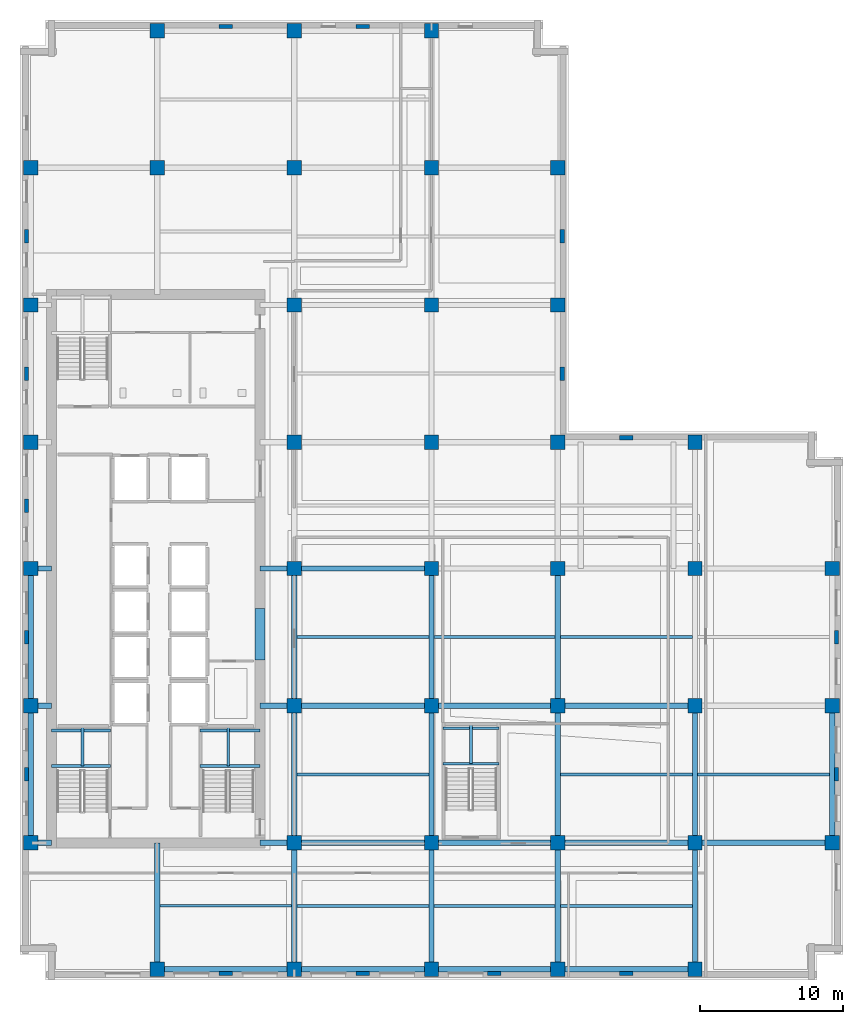
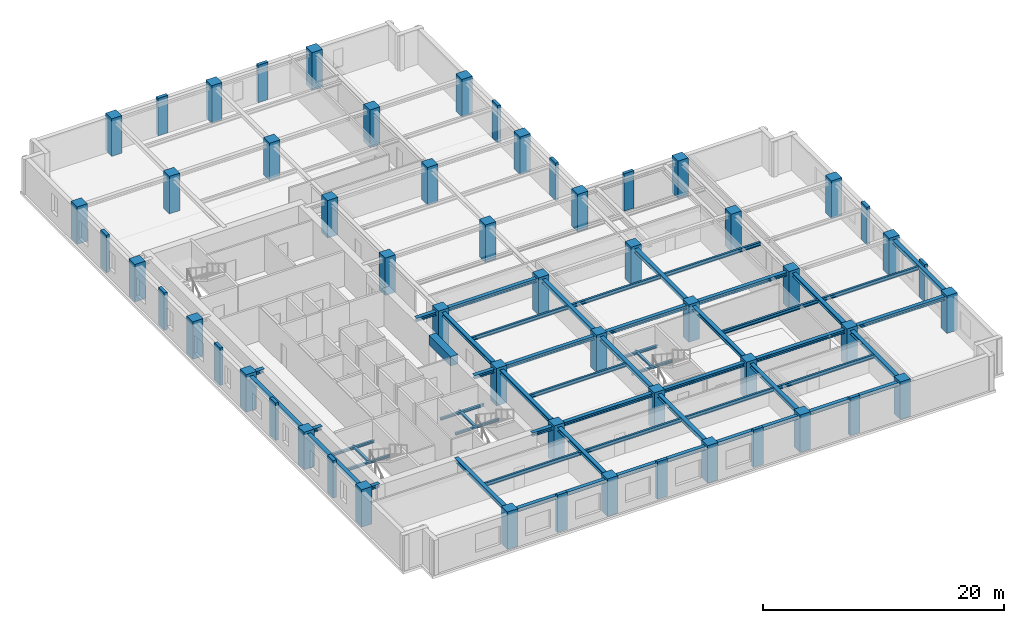
# One storey, part 1 of 12: 56 columns, 53 beams.
"""IFC4 building model written with IfcOpenShell, lengths in metres."""

import ifcopenshell
import ifcopenshell.guid

model = None  # the IFC model being written
_history = None  # IfcOwnerHistory: only IFC2X3 demands one
_inside = {}  # id of a spatial element -> (the spatial element, [elements in it])
_under = {}  # id of a project, library or spatial element -> (it, [spatial elements below it])
_declared = {}  # id of a project -> (the project, [libraries it declares])
_typed = {}  # id of a type object -> (the type object, [elements of that type])
_made_of = {}  # id of a material, layer set ... -> (it, [elements and type objects made of it])


def new_model(schema):
    """Start an empty IFC model of exactly this schema.

    Asked for "IFC4X3", IfcOpenShell would pick the latest addendum, in which some entities
    have other attributes; the version numbers below select the first issue.
    IFC2X3 requires an IfcOwnerHistory on every rooted entity: one is made here for all.
    """
    global model, _history
    if schema == "IFC4X3":
        model = ifcopenshell.file(schema_version=(4, 3, 0, 0))
    else:
        model = ifcopenshell.file(schema=schema)
    _inside.clear()
    _under.clear()
    _declared.clear()
    _typed.clear()
    _made_of.clear()
    _history = None
    if model.schema == "IFC2X3":
        org = make("IfcOrganization", Name="unknown")
        user = make(
            "IfcPersonAndOrganization",
            ThePerson=make("IfcPerson", FamilyName="unknown"),
            TheOrganization=org,
        )
        app = make(
            "IfcApplication",
            ApplicationDeveloper=org,
            Version="unknown",
            ApplicationFullName="unknown",
            ApplicationIdentifier="unknown",
        )
        _history = make(
            "IfcOwnerHistory",
            OwningUser=user,
            OwningApplication=app,
            ChangeAction="ADDED",
            CreationDate=0,
        )
    return model


def make(cls, **values):
    """One entity of the class cls with the attributes given. An attribute that is None is left unset."""
    return model.create_entity(
        cls, **{name: value for name, value in values.items() if value is not None}
    )


def rooted(cls, **values):
    """An entity with a GlobalId (a new one), such as an element, a storey or a relation."""
    return make(cls, GlobalId=ifcopenshell.guid.new(), OwnerHistory=_history, **values)


def si_unit(unit_type, name, prefix=None):
    """IfcSIUnit, for example si_unit("LENGTHUNIT", "METRE", prefix="MILLI")."""
    return make("IfcSIUnit", UnitType=unit_type, Prefix=prefix, Name=name)


def assignment(units):
    """IfcUnitAssignment: the units of a project."""
    return None if units is None else make("IfcUnitAssignment", Units=units)


def point(xyz):
    """IfcCartesianPoint."""
    return None if xyz is None else make("IfcCartesianPoint", Coordinates=xyz)


def direction(xyz):
    """IfcDirection."""
    return None if xyz is None else make("IfcDirection", DirectionRatios=xyz)


def frame(location, z_axis=None, x_axis=None):
    """IfcAxis2Placement3D, a coordinate frame: its origin and axes. An axis left out is left unset."""
    return make(
        "IfcAxis2Placement3D",
        Location=point(location),
        Axis=direction(z_axis),
        RefDirection=direction(x_axis),
    )


def frame_2d(location, x_axis=None):
    """IfcAxis2Placement2D, a coordinate frame in the plane: its origin and x axis."""
    return make(
        "IfcAxis2Placement2D", Location=point(location), RefDirection=direction(x_axis)
    )


def origin():
    """The frame at (0, 0, 0) with its axes left unset."""
    return frame((0.0, 0.0, 0.0))


def origin_2d():
    """The frame at (0, 0) in the plane with its x axis left unset."""
    return frame_2d((0.0, 0.0))


def place(relative_to, where):
    """IfcLocalPlacement: puts the frame where relative to a parent placement (None: the world)."""
    return make(
        "IfcLocalPlacement", PlacementRelTo=relative_to, RelativePlacement=where
    )


def context(
    kind, dimensions, precision=None, world=None, true_north=None, identifier=None
):
    """IfcGeometricRepresentationContext, for example the 3D "Model" context."""
    return make(
        "IfcGeometricRepresentationContext",
        ContextIdentifier=identifier,
        ContextType=kind,
        CoordinateSpaceDimension=dimensions,
        Precision=precision,
        WorldCoordinateSystem=world,
        TrueNorth=true_north,
    )


def subcontext(parent, identifier, kind, view, scale=None):
    """IfcGeometricRepresentationSubContext, for example "Body" below "Model"."""
    return make(
        "IfcGeometricRepresentationSubContext",
        ContextIdentifier=identifier,
        ContextType=kind,
        ParentContext=parent,
        TargetScale=scale,
        TargetView=view,
    )


def project(units=None, contexts=None):
    """IfcProject with its units and contexts."""
    return rooted(
        "IfcProject",
        Name="project",
        RepresentationContexts=contexts,
        UnitsInContext=assignment(units),
    )


def spatial(cls, under=None, at=None, **own):
    """A site, building, storey or space (cls), placed at a placement, below another one or the project."""
    s = rooted(cls, ObjectPlacement=at, **own)
    if under is not None:
        _under.setdefault(under.id(), (under, []))[1].append(s)
    return s


def profile(cls, at=None, kind="AREA", **sizes):
    """A parametric profile (cls). Its sizes go by their IFC names, for example OverallWidth=200.0."""
    return make(cls, ProfileType=kind, Position=at, **sizes)


def rectangle(**sizes):
    """IfcRectangleProfileDef."""
    return profile("IfcRectangleProfileDef", **sizes)


def i_section(**sizes):
    """IfcIShapeProfileDef."""
    return profile("IfcIShapeProfileDef", **sizes)


def extrude(swept, where, along, depth):
    """IfcExtrudedAreaSolid: the profile swept, set in the frame where, extruded along a direction by depth."""
    return make(
        "IfcExtrudedAreaSolid",
        SweptArea=swept,
        Position=where,
        ExtrudedDirection=direction(along),
        Depth=depth,
    )


def shape(context_of_items, identifier, shape_type, items):
    """IfcShapeRepresentation: the items that make up one representation, for example the "Body"."""
    return make(
        "IfcShapeRepresentation",
        ContextOfItems=context_of_items,
        RepresentationIdentifier=identifier,
        RepresentationType=shape_type,
        Items=items,
    )


def material(Name=None, Category=None):
    """IfcMaterial."""
    return make("IfcMaterial", Name=Name, Category=Category)


def material_profile(
    of_material, cross_section, Name=None, Category=None, Priority=None
):
    """IfcMaterialProfile: a cross section and its material."""
    return make(
        "IfcMaterialProfile",
        Name=Name,
        Material=of_material,
        Profile=cross_section,
        Priority=Priority,
        Category=Category,
    )


def profile_set(profiles, Name=None, composite=None):
    """IfcMaterialProfileSet."""
    return make(
        "IfcMaterialProfileSet",
        Name=Name,
        MaterialProfiles=profiles,
        CompositeProfile=composite,
    )


def made_of(thing, what):
    """Note that an element or type object is made of a material, layer set ...; save() writes the relation."""
    if what is not None:
        _made_of.setdefault(what.id(), (what, []))[1].append(thing)
    return thing


def type_object(cls, material=None, **own):
    """A type object (cls), such as IfcWallType, which elements share."""
    return made_of(rooted(cls, **own), material)


def element(
    cls,
    number,
    at=None,
    inside=None,
    cuts=None,
    type_object=None,
    material=None,
    context=None,
    identifier="Body",
    shape_type=None,
    held_by="IfcProductDefinitionShape",
    body=None,
    shapes=None,
    **own,
):
    """One element of the class cls, such as IfcWall. Its Tag is "e" and its number.

    at: its placement. inside: the storey or other place that contains it. cuts: it is an
    opening in that element (IfcRelVoidsElement). A single representation is given by context,
    identifier, shape_type and body (its items); several are given by shapes. held_by: the class
    of the entity that holds the representations. save() writes the other relations.
    """
    e = rooted(cls, Tag="e%d" % number, ObjectPlacement=at, **own)
    if body is not None:
        shapes = [shape(context, identifier, shape_type, body)]
    if shapes is not None:
        e.Representation = make(held_by, Representations=shapes)
    if inside is not None:
        _inside.setdefault(inside.id(), (inside, []))[1].append(e)
    if cuts is not None:
        rooted(
            "IfcRelVoidsElement", RelatingBuildingElement=cuts, RelatedOpeningElement=e
        )
    if type_object is not None:
        _typed.setdefault(type_object.id(), (type_object, []))[1].append(e)
    return made_of(e, material)


def aggregate(whole, parts):
    """IfcRelAggregates: a whole, such as a stair, and the parts it consists of."""
    return rooted("IfcRelAggregates", RelatingObject=whole, RelatedObjects=parts)


def save(model, path):
    """Write the relations noted so far, then the file.

    IfcRelAggregates (storeys below a building ...), IfcRelContainedInSpatialStructure (elements
    in a storey), IfcRelDefinesByType, IfcRelAssociatesMaterial and IfcRelDeclares: one each for
    every whole, place, type object, material and project.
    """
    for whole, parts in _under.values():
        aggregate(whole, parts)
    for where, things in _inside.values():
        rooted(
            "IfcRelContainedInSpatialStructure",
            RelatedElements=things,
            RelatingStructure=where,
        )
    for kind, things in _typed.values():
        rooted("IfcRelDefinesByType", RelatedObjects=things, RelatingType=kind)
    for what, things in _made_of.values():
        rooted("IfcRelAssociatesMaterial", RelatedObjects=things, RelatingMaterial=what)
    for by, libraries in _declared.values():
        rooted("IfcRelDeclares", RelatingContext=by, RelatedDefinitions=libraries)
    model.write(path)


model = new_model("IFC4")

# Units and contexts
model_context = context("Model", 3, precision=1e-05, world=origin(), true_north=direction((0.0, 1.0)))
body_context = subcontext(model_context, "Body", "Model", "MODEL_VIEW")
ifc_project = project(units=[si_unit("LENGTHUNIT", "METRE"), si_unit("AREAUNIT", "SQUARE_METRE"), si_unit("VOLUMEUNIT", "CUBIC_METRE"), si_unit("PLANEANGLEUNIT", "RADIAN"), si_unit("MASSUNIT", "GRAM", prefix="KILO")], contexts=[model_context])

# Site, building, storey
site_placement = place(None, origin())
site = spatial("IfcSite", under=ifc_project, at=site_placement, CompositionType="ELEMENT")
building_placement = place(site_placement, origin())
building = spatial("IfcBuilding", under=site, at=building_placement, Name="Norrvale University Quadrangle", CompositionType="ELEMENT")
storey_placement = place(building_placement, frame((0.0, 0.0, 109.0)))
storey = spatial("IfcBuildingStorey", under=building, at=storey_placement, Name="L27", CompositionType="ELEMENT", Elevation=109.0)

# Columns
ifc_material_1 = material(Name="Red Manganese Brick Concrete C60/75", Category="concrete")
ifc_material_profile_1 = material_profile(ifc_material_1, rectangle(XDim=0.949951171875, YDim=0.300048828125, at=origin_2d()), Name="Red Manganese Brick Concrete C60/75")
ifc_profile_set_1 = profile_set([ifc_material_profile_1], Name="Red Manganese Brick Concrete C60/75")
column_type_1 = type_object("IfcColumnType", Name="Column Brick Pier 950x300", PredefinedType="PILASTER", material=ifc_profile_set_1)
for number, where, z_axis, x_axis, name in (
    (1, (0.449951171875, 14.39990234375, 0.0), (0.0, 0.0, 1.0), (0.0, 1.0, 0.0), "Exterior Brick Facade Pilaster L27-01"),
    (2, (0.449951171875, 24.0, 0.0), (0.0, 0.0, 1.0), (0.0, 1.0, 0.0), "Exterior Brick Facade Pilaster L27-02"),
    (3, (0.449951171875, 33.199951171875, 0.0), (0.0, 0.0, 1.0), (0.0, 1.0, 0.0), "Exterior Brick Facade Pilaster L27-03"),
    (4, (0.449951171875, 42.449951171875, 0.0), (0.0, 0.0, 1.0), (0.0, 1.0, 0.0), "Exterior Brick Facade Pilaster L27-04"),
    (5, (0.449951171875, 52.050048828125, 0.0), (0.0, 0.0, 1.0), (0.0, 1.0, 0.0), "Exterior Brick Facade Pilaster L27-05"),
    (6, (14.39990234375, 0.449951171875, 0.0), (0.0, 0.0, 1.0), (1.0, 0.0, 0.0), "Exterior Brick Facade Pilaster L27-06"),
    (7, (24.0, 0.449951171875, 0.0), (0.0, 0.0, 1.0), (1.0, 0.0, 0.0), "Exterior Brick Facade Pilaster L27-07"),
    (8, (33.199951171875, 0.449951171875, 0.0), (0.0, 0.0, 1.0), (1.0, 0.0, 0.0), "Exterior Brick Facade Pilaster L27-08"),
    (9, (42.449951171875, 0.449951171875, 0.0), (0.0, 0.0, 1.0), (1.0, 0.0, 0.0), "Exterior Brick Facade Pilaster L27-09"),
    (10, (57.14990234375, 14.39990234375, 0.0), (0.0, 0.0, 1.0), (0.0, 1.0, 0.0), "Exterior Brick Facade Pilaster L27-10"),
    (11, (57.14990234375, 24.0, 0.0), (0.0, 0.0, 1.0), (0.0, 1.0, 0.0), "Exterior Brick Facade Pilaster L27-11"),
    (12, (14.39990234375, 66.75, 0.0), (0.0, 0.0, 1.0), (1.0, 0.0, 0.0), "Exterior Brick Facade Pilaster L27-12"),
    (13, (24.0, 66.75, 0.0), (0.0, 0.0, 1.0), (1.0, 0.0, 0.0), "Exterior Brick Facade Pilaster L27-13"),
    (14, (37.949951171875, 42.449951171875, 0.0), (0.0, 0.0, 1.0), (0.0, 1.0, 0.0), "Exterior Brick Facade Pilaster L27-14"),
    (15, (37.949951171875, 52.050048828125, 0.0), (0.0, 0.0, 1.0), (0.0, 1.0, 0.0), "Exterior Brick Facade Pilaster L27-15"),
    (16, (42.449951171875, 37.949951171875, 0.0), (0.0, 0.0, 1.0), (1.0, 0.0, 0.0), "Exterior Brick Facade Pilaster L27-16"),
):
    element("IfcColumn", number, at=place(storey_placement, frame(where, z_axis=z_axis, x_axis=x_axis)), inside=storey, type_object=column_type_1, Name=name, PredefinedType="PILASTER", context=body_context, shape_type="SweptSolid", body=[
        extrude(rectangle(XDim=0.949951171875, YDim=0.300048828125, at=origin_2d()), origin(), (0.0, 0.0, 1.0), 3.800048828125),
    ])
ifc_material_2 = material(Name="Concrete C60/75", Category="concrete")
ifc_material_profile_2 = material_profile(ifc_material_2, rectangle(XDim=1.0, YDim=1.0, at=origin_2d()), Name="Concrete C60/75")
ifc_profile_set_2 = profile_set([ifc_material_profile_2], Name="Concrete C60/75")
column_type_2 = type_object("IfcColumnType", Name="Column Tower Z2 1000x1000", PredefinedType="COLUMN", material=ifc_profile_set_2)
for number, where, z_axis, x_axis, name in (
    (17, (0.75, 9.60009765625, 0.0), (0.0, 0.0, 1.0), (1.0, 0.0, 0.0), "Tower Column L27-T01"),
    (18, (0.75, 19.199951171875, 0.0), (0.0, 0.0, 1.0), (1.0, 0.0, 0.0), "Tower Column L27-T02"),
    (19, (0.75, 28.800048828125, 0.0), (0.0, 0.0, 1.0), (1.0, 0.0, 0.0), "Tower Column L27-T03"),
    (20, (0.75, 37.64990234375, 0.0), (0.0, 0.0, 1.0), (1.0, 0.0, 0.0), "Tower Column L27-T04"),
    (21, (0.75, 47.25, 0.0), (0.0, 0.0, 1.0), (1.0, 0.0, 0.0), "Tower Column L27-T05"),
    (22, (0.75, 56.85009765625, 0.0), (0.0, 0.0, 1.0), (1.0, 0.0, 0.0), "Tower Column L27-T06"),
    (23, (9.60009765625, 0.75, 0.0), (0.0, 0.0, 1.0), (1.0, 0.0, 0.0), "Tower Column L27-T07"),
    (24, (9.60009765625, 56.85009765625, 0.0), (0.0, 0.0, 1.0), (1.0, 0.0, 0.0), "Tower Column L27-T08"),
    (25, (9.60009765625, 66.449951171875, 0.0), (0.0, 0.0, 1.0), (1.0, 0.0, 0.0), "Tower Column L27-T09"),
    (26, (19.199951171875, 0.75, 0.0), (0.0, 0.0, 1.0), (1.0, 0.0, 0.0), "Tower Column L27-T10"),
    (27, (19.199951171875, 9.60009765625, 0.0), (0.0, 0.0, 1.0), (1.0, 0.0, 0.0), "Tower Column L27-T11"),
    (28, (19.199951171875, 19.199951171875, 0.0), (0.0, 0.0, 1.0), (1.0, 0.0, 0.0), "Tower Column L27-T12"),
    (29, (19.199951171875, 28.800048828125, 0.0), (0.0, 0.0, 1.0), (1.0, 0.0, 0.0), "Tower Column L27-T13"),
    (30, (19.199951171875, 37.64990234375, 0.0), (0.0, 0.0, 1.0), (1.0, 0.0, 0.0), "Tower Column L27-T14"),
    (31, (19.199951171875, 47.25, 0.0), (0.0, 0.0, 1.0), (1.0, 0.0, 0.0), "Tower Column L27-T15"),
    (32, (19.199951171875, 56.85009765625, 0.0), (0.0, 0.0, 1.0), (1.0, 0.0, 0.0), "Tower Column L27-T16"),
    (33, (19.199951171875, 66.449951171875, 0.0), (0.0, 0.0, 1.0), (1.0, 0.0, 0.0), "Tower Column L27-T17"),
    (34, (28.800048828125, 0.75, 0.0), (0.0, 0.0, 1.0), (1.0, 0.0, 0.0), "Tower Column L27-T18"),
    (35, (28.800048828125, 9.60009765625, 0.0), (0.0, 0.0, 1.0), (1.0, 0.0, 0.0), "Tower Column L27-T19"),
    (36, (28.800048828125, 19.199951171875, 0.0), (0.0, 0.0, 1.0), (1.0, 0.0, 0.0), "Tower Column L27-T20"),
    (37, (28.800048828125, 28.800048828125, 0.0), (0.0, 0.0, 1.0), (1.0, 0.0, 0.0), "Tower Column L27-T21"),
    (38, (28.800048828125, 37.64990234375, 0.0), (0.0, 0.0, 1.0), (1.0, 0.0, 0.0), "Tower Column L27-T22"),
    (39, (28.800048828125, 47.25, 0.0), (0.0, 0.0, 1.0), (1.0, 0.0, 0.0), "Tower Column L27-T23"),
    (40, (28.800048828125, 56.85009765625, 0.0), (0.0, 0.0, 1.0), (1.0, 0.0, 0.0), "Tower Column L27-T24"),
    (41, (28.800048828125, 66.449951171875, 0.0), (0.0, 0.0, 1.0), (1.0, 0.0, 0.0), "Tower Column L27-T25"),
    (42, (37.64990234375, 0.75, 0.0), (0.0, 0.0, 1.0), (1.0, 0.0, 0.0), "Tower Column L27-T26"),
    (43, (37.64990234375, 9.60009765625, 0.0), (0.0, 0.0, 1.0), (1.0, 0.0, 0.0), "Tower Column L27-T27"),
    (44, (37.64990234375, 19.199951171875, 0.0), (0.0, 0.0, 1.0), (1.0, 0.0, 0.0), "Tower Column L27-T28"),
    (45, (37.64990234375, 28.800048828125, 0.0), (0.0, 0.0, 1.0), (1.0, 0.0, 0.0), "Tower Column L27-T29"),
    (46, (37.64990234375, 37.64990234375, 0.0), (0.0, 0.0, 1.0), (1.0, 0.0, 0.0), "Tower Column L27-T30"),
    (47, (37.64990234375, 47.25, 0.0), (0.0, 0.0, 1.0), (1.0, 0.0, 0.0), "Tower Column L27-T31"),
    (48, (37.64990234375, 56.85009765625, 0.0), (0.0, 0.0, 1.0), (1.0, 0.0, 0.0), "Tower Column L27-T32"),
    (49, (47.25, 0.75, 0.0), (0.0, 0.0, 1.0), (1.0, 0.0, 0.0), "Tower Column L27-T33"),
    (50, (47.25, 9.60009765625, 0.0), (0.0, 0.0, 1.0), (1.0, 0.0, 0.0), "Tower Column L27-T34"),
    (51, (47.25, 19.199951171875, 0.0), (0.0, 0.0, 1.0), (1.0, 0.0, 0.0), "Tower Column L27-T35"),
    (52, (47.25, 28.800048828125, 0.0), (0.0, 0.0, 1.0), (1.0, 0.0, 0.0), "Tower Column L27-T36"),
    (53, (47.25, 37.64990234375, 0.0), (0.0, 0.0, 1.0), (1.0, 0.0, 0.0), "Tower Column L27-T37"),
    (54, (56.85009765625, 9.60009765625, 0.0), (0.0, 0.0, 1.0), (1.0, 0.0, 0.0), "Tower Column L27-T38"),
    (55, (56.85009765625, 19.199951171875, 0.0), (0.0, 0.0, 1.0), (1.0, 0.0, 0.0), "Tower Column L27-T39"),
    (56, (56.85009765625, 28.800048828125, 0.0), (0.0, 0.0, 1.0), (1.0, 0.0, 0.0), "Tower Column L27-T40"),
):
    element("IfcColumn", number, at=place(storey_placement, frame(where, z_axis=z_axis, x_axis=x_axis)), inside=storey, type_object=column_type_2, Name=name, PredefinedType="COLUMN", context=body_context, shape_type="SweptSolid", body=[
        extrude(rectangle(XDim=1.0, YDim=1.0, at=origin_2d()), origin(), (0.0, 0.0, 1.0), 3.800048828125),
    ])

# Beams
ifc_material_3 = material(Name="Concrete C80/95", Category="concrete")
ifc_material_profile_3 = material_profile(ifc_material_3, rectangle(XDim=0.699951171875, YDim=0.949951171875, at=origin_2d()), Name="Concrete C80/95")
ifc_profile_set_3 = profile_set([ifc_material_profile_3], Name="Concrete C80/95")
beam_type_1 = type_object("IfcBeamType", Name="Beam Core Link 700x950", PredefinedType="LINTEL", material=ifc_profile_set_3)
beam_1_placement = place(storey_placement, frame((16.800048828125, 22.39990234375, 3.06494140625), z_axis=(0.0, 1.0, 0.0), x_axis=(-1.0, 0.0, 0.0)))
element("IfcBeam", 57, at=beam_1_placement, inside=storey, type_object=beam_type_1, Name="Core Coupling Lintel Beam L27-1", PredefinedType="LINTEL", context=body_context, shape_type="SweptSolid", body=[
    extrude(rectangle(XDim=0.699951171875, YDim=0.949951171875, at=origin_2d()), origin(), (0.0, 0.0, 1.0), 3.60009765625),
])
ifc_material_4 = material(Name="Steel 350W", Category="steel")
ifc_material_profile_4 = material_profile(ifc_material_4, i_section(OverallWidth=0.368896484375, OverallDepth=0.35595703125, WebThickness=0.01123046875, FlangeThickness=0.01806640625, FilletRadius=0.014892578125, at=origin_2d()), Name="Steel 350W")
ifc_profile_set_4 = profile_set([ifc_material_profile_4], Name="Steel 350W")
beam_type_2 = type_object("IfcBeamType", Name="Beam Crown W360x134", PredefinedType="BEAM", material=ifc_profile_set_4)
beam_2_placement = place(storey_placement, frame((9.60009765625, 0.75, 3.362060546875), z_axis=(1.0, 0.0, 0.0), x_axis=(0.0, 1.0, 0.0)))
element("IfcBeam", 58, at=beam_2_placement, inside=storey, type_object=beam_type_2, Name="Beam Crown W360x134 BM-L27-GX001", PredefinedType="BEAM", context=body_context, shape_type="SweptSolid", body=[
    extrude(i_section(OverallWidth=0.368896484375, OverallDepth=0.35595703125, WebThickness=0.01123046875, FlangeThickness=0.01806640625, FilletRadius=0.014892578125, at=origin_2d()), origin(), (0.0, 0.0, 1.0), 9.599853515625),
])
beam_3_placement = place(storey_placement, frame((19.199951171875, 0.75, 3.362060546875), z_axis=(1.0, 0.0, 0.0), x_axis=(0.0, 1.0, 0.0)))
element("IfcBeam", 59, at=beam_3_placement, inside=storey, type_object=beam_type_2, Name="Beam Crown W360x134 BM-L27-GX002", PredefinedType="BEAM", context=body_context, shape_type="SweptSolid", body=[
    extrude(i_section(OverallWidth=0.368896484375, OverallDepth=0.35595703125, WebThickness=0.01123046875, FlangeThickness=0.01806640625, FilletRadius=0.014892578125, at=origin_2d()), origin(), (0.0, 0.0, 1.0), 9.60009765625),
])
beam_4_placement = place(storey_placement, frame((28.800048828125, 0.75, 3.362060546875), z_axis=(1.0, 0.0, 0.0), x_axis=(0.0, 1.0, 0.0)))
element("IfcBeam", 60, at=beam_4_placement, inside=storey, type_object=beam_type_2, Name="Beam Crown W360x134 BM-L27-GX003", PredefinedType="BEAM", context=body_context, shape_type="SweptSolid", body=[
    extrude(i_section(OverallWidth=0.368896484375, OverallDepth=0.35595703125, WebThickness=0.01123046875, FlangeThickness=0.01806640625, FilletRadius=0.014892578125, at=origin_2d()), origin(), (0.0, 0.0, 1.0), 8.849853515625),
])
for number, where, z_axis, x_axis, name in (
    (61, (37.64990234375, 0.75, 3.362060546875), (1.0, 0.0, 0.0), (0.0, 1.0, 0.0), "Beam Crown W360x134 BM-L27-GX004"),
    (62, (19.199951171875, 9.60009765625, 3.362060546875), (1.0, 0.0, 0.0), (0.0, 1.0, 0.0), "Beam Crown W360x134 BM-L27-GX005"),
):
    element("IfcBeam", number, at=place(storey_placement, frame(where, z_axis=z_axis, x_axis=x_axis)), inside=storey, type_object=beam_type_2, Name=name, PredefinedType="BEAM", context=body_context, shape_type="SweptSolid", body=[
        extrude(i_section(OverallWidth=0.368896484375, OverallDepth=0.35595703125, WebThickness=0.01123046875, FlangeThickness=0.01806640625, FilletRadius=0.014892578125, at=origin_2d()), origin(), (0.0, 0.0, 1.0), 9.60009765625),
    ])
beam_5_placement = place(storey_placement, frame((28.800048828125, 9.60009765625, 3.362060546875), z_axis=(1.0, 0.0, 0.0), x_axis=(0.0, 1.0, 0.0)))
element("IfcBeam", 63, at=beam_5_placement, inside=storey, type_object=beam_type_2, Name="Beam Crown W360x134 BM-L27-GX006", PredefinedType="BEAM", context=body_context, shape_type="SweptSolid", body=[
    extrude(i_section(OverallWidth=0.368896484375, OverallDepth=0.35595703125, WebThickness=0.01123046875, FlangeThickness=0.01806640625, FilletRadius=0.014892578125, at=origin_2d()), origin(), (0.0, 0.0, 1.0), 8.849853515625),
])
for number, where, z_axis, x_axis, name in (
    (64, (37.64990234375, 9.60009765625, 3.362060546875), (1.0, 0.0, 0.0), (0.0, 1.0, 0.0), "Beam Crown W360x134 BM-L27-GX007"),
    (65, (47.25, 9.60009765625, 3.362060546875), (1.0, 0.0, 0.0), (0.0, 1.0, 0.0), "Beam Crown W360x134 BM-L27-GX008"),
    (66, (19.199951171875, 19.199951171875, 3.362060546875), (1.0, 0.0, 0.0), (0.0, 1.0, 0.0), "Beam Crown W360x134 BM-L27-GX009"),
):
    element("IfcBeam", number, at=place(storey_placement, frame(where, z_axis=z_axis, x_axis=x_axis)), inside=storey, type_object=beam_type_2, Name=name, PredefinedType="BEAM", context=body_context, shape_type="SweptSolid", body=[
        extrude(i_section(OverallWidth=0.368896484375, OverallDepth=0.35595703125, WebThickness=0.01123046875, FlangeThickness=0.01806640625, FilletRadius=0.014892578125, at=origin_2d()), origin(), (0.0, 0.0, 1.0), 9.60009765625),
    ])
beam_6_placement = place(storey_placement, frame((28.800048828125, 19.199951171875, 3.362060546875), z_axis=(1.0, 0.0, 0.0), x_axis=(0.0, 1.0, 0.0)))
element("IfcBeam", 67, at=beam_6_placement, inside=storey, type_object=beam_type_2, Name="Beam Crown W360x134 BM-L27-GX010", PredefinedType="BEAM", context=body_context, shape_type="SweptSolid", body=[
    extrude(i_section(OverallWidth=0.368896484375, OverallDepth=0.35595703125, WebThickness=0.01123046875, FlangeThickness=0.01806640625, FilletRadius=0.014892578125, at=origin_2d()), origin(), (0.0, 0.0, 1.0), 8.849853515625),
])
for number, where, z_axis, x_axis, name in (
    (68, (37.64990234375, 19.199951171875, 3.362060546875), (1.0, 0.0, 0.0), (0.0, 1.0, 0.0), "Beam Crown W360x134 BM-L27-GX011"),
    (69, (19.199951171875, 28.800048828125, 3.362060546875), (1.0, 0.0, 0.0), (0.0, 1.0, 0.0), "Beam Crown W360x134 BM-L27-GX013"),
):
    element("IfcBeam", number, at=place(storey_placement, frame(where, z_axis=z_axis, x_axis=x_axis)), inside=storey, type_object=beam_type_2, Name=name, PredefinedType="BEAM", context=body_context, shape_type="SweptSolid", body=[
        extrude(i_section(OverallWidth=0.368896484375, OverallDepth=0.35595703125, WebThickness=0.01123046875, FlangeThickness=0.01806640625, FilletRadius=0.014892578125, at=origin_2d()), origin(), (0.0, 0.0, 1.0), 9.60009765625),
    ])
beam_7_placement = place(storey_placement, frame((0.75, 9.60009765625, 3.362060546875), z_axis=(0.0, 1.0, 0.0), x_axis=(-1.0, 0.0, 0.0)))
element("IfcBeam", 70, at=beam_7_placement, inside=storey, type_object=beam_type_2, Name="Beam Crown W360x134 BM-L27-GY028", PredefinedType="BEAM", context=body_context, shape_type="SweptSolid", body=[
    extrude(i_section(OverallWidth=0.368896484375, OverallDepth=0.35595703125, WebThickness=0.01123046875, FlangeThickness=0.01806640625, FilletRadius=0.014892578125, at=origin_2d()), origin(), (0.0, 0.0, 1.0), 9.599853515625),
])
beam_8_placement = place(storey_placement, frame((0.75, 19.199951171875, 3.362060546875), z_axis=(0.0, 1.0, 0.0), x_axis=(-1.0, 0.0, 0.0)))
element("IfcBeam", 71, at=beam_8_placement, inside=storey, type_object=beam_type_2, Name="Beam Crown W360x134 BM-L27-GY029", PredefinedType="BEAM", context=body_context, shape_type="SweptSolid", body=[
    extrude(i_section(OverallWidth=0.368896484375, OverallDepth=0.35595703125, WebThickness=0.01123046875, FlangeThickness=0.01806640625, FilletRadius=0.014892578125, at=origin_2d()), origin(), (0.0, 0.0, 1.0), 9.60009765625),
])
beam_9_placement = place(storey_placement, frame((19.199951171875, 0.75, 3.362060546875), z_axis=(0.0, 1.0, 0.0), x_axis=(-1.0, 0.0, 0.0)))
element("IfcBeam", 72, at=beam_9_placement, inside=storey, type_object=beam_type_2, Name="Beam Crown W360x134 BM-L27-GY034", PredefinedType="BEAM", context=body_context, shape_type="SweptSolid", body=[
    extrude(i_section(OverallWidth=0.368896484375, OverallDepth=0.35595703125, WebThickness=0.01123046875, FlangeThickness=0.01806640625, FilletRadius=0.014892578125, at=origin_2d()), origin(), (0.0, 0.0, 1.0), 8.85009765625),
])
beam_10_placement = place(storey_placement, frame((19.199951171875, 9.60009765625, 3.362060546875), z_axis=(0.0, 1.0, 0.0), x_axis=(-1.0, 0.0, 0.0)))
element("IfcBeam", 73, at=beam_10_placement, inside=storey, type_object=beam_type_2, Name="Beam Crown W360x134 BM-L27-GY035", PredefinedType="BEAM", context=body_context, shape_type="SweptSolid", body=[
    extrude(i_section(OverallWidth=0.368896484375, OverallDepth=0.35595703125, WebThickness=0.01123046875, FlangeThickness=0.01806640625, FilletRadius=0.014892578125, at=origin_2d()), origin(), (0.0, 0.0, 1.0), 9.599853515625),
])
beam_11_placement = place(storey_placement, frame((19.199951171875, 19.199951171875, 3.362060546875), z_axis=(0.0, 1.0, 0.0), x_axis=(-1.0, 0.0, 0.0)))
element("IfcBeam", 74, at=beam_11_placement, inside=storey, type_object=beam_type_2, Name="Beam Crown W360x134 BM-L27-GY036", PredefinedType="BEAM", context=body_context, shape_type="SweptSolid", body=[
    extrude(i_section(OverallWidth=0.368896484375, OverallDepth=0.35595703125, WebThickness=0.01123046875, FlangeThickness=0.01806640625, FilletRadius=0.014892578125, at=origin_2d()), origin(), (0.0, 0.0, 1.0), 9.60009765625),
])
beam_12_placement = place(storey_placement, frame((28.800048828125, 0.75, 3.362060546875), z_axis=(0.0, 1.0, 0.0), x_axis=(-1.0, 0.0, 0.0)))
element("IfcBeam", 75, at=beam_12_placement, inside=storey, type_object=beam_type_2, Name="Beam Crown W360x134 BM-L27-GY041", PredefinedType="BEAM", context=body_context, shape_type="SweptSolid", body=[
    extrude(i_section(OverallWidth=0.368896484375, OverallDepth=0.35595703125, WebThickness=0.01123046875, FlangeThickness=0.01806640625, FilletRadius=0.014892578125, at=origin_2d()), origin(), (0.0, 0.0, 1.0), 8.85009765625),
])
beam_13_placement = place(storey_placement, frame((28.800048828125, 9.60009765625, 3.362060546875), z_axis=(0.0, 1.0, 0.0), x_axis=(-1.0, 0.0, 0.0)))
element("IfcBeam", 76, at=beam_13_placement, inside=storey, type_object=beam_type_2, Name="Beam Crown W360x134 BM-L27-GY042", PredefinedType="BEAM", context=body_context, shape_type="SweptSolid", body=[
    extrude(i_section(OverallWidth=0.368896484375, OverallDepth=0.35595703125, WebThickness=0.01123046875, FlangeThickness=0.01806640625, FilletRadius=0.014892578125, at=origin_2d()), origin(), (0.0, 0.0, 1.0), 9.599853515625),
])
beam_14_placement = place(storey_placement, frame((28.800048828125, 19.199951171875, 3.362060546875), z_axis=(0.0, 1.0, 0.0), x_axis=(-1.0, 0.0, 0.0)))
element("IfcBeam", 77, at=beam_14_placement, inside=storey, type_object=beam_type_2, Name="Beam Crown W360x134 BM-L27-GY043", PredefinedType="BEAM", context=body_context, shape_type="SweptSolid", body=[
    extrude(i_section(OverallWidth=0.368896484375, OverallDepth=0.35595703125, WebThickness=0.01123046875, FlangeThickness=0.01806640625, FilletRadius=0.014892578125, at=origin_2d()), origin(), (0.0, 0.0, 1.0), 9.60009765625),
])
beam_15_placement = place(storey_placement, frame((37.64990234375, 0.75, 3.362060546875), z_axis=(0.0, 1.0, 0.0), x_axis=(-1.0, 0.0, 0.0)))
element("IfcBeam", 78, at=beam_15_placement, inside=storey, type_object=beam_type_2, Name="Beam Crown W360x134 BM-L27-GY048", PredefinedType="BEAM", context=body_context, shape_type="SweptSolid", body=[
    extrude(i_section(OverallWidth=0.368896484375, OverallDepth=0.35595703125, WebThickness=0.01123046875, FlangeThickness=0.01806640625, FilletRadius=0.014892578125, at=origin_2d()), origin(), (0.0, 0.0, 1.0), 8.85009765625),
])
beam_16_placement = place(storey_placement, frame((37.64990234375, 9.60009765625, 3.362060546875), z_axis=(0.0, 1.0, 0.0), x_axis=(-1.0, 0.0, 0.0)))
element("IfcBeam", 79, at=beam_16_placement, inside=storey, type_object=beam_type_2, Name="Beam Crown W360x134 BM-L27-GY049", PredefinedType="BEAM", context=body_context, shape_type="SweptSolid", body=[
    extrude(i_section(OverallWidth=0.368896484375, OverallDepth=0.35595703125, WebThickness=0.01123046875, FlangeThickness=0.01806640625, FilletRadius=0.014892578125, at=origin_2d()), origin(), (0.0, 0.0, 1.0), 9.599853515625),
])
beam_17_placement = place(storey_placement, frame((37.64990234375, 19.199951171875, 3.362060546875), z_axis=(0.0, 1.0, 0.0), x_axis=(-1.0, 0.0, 0.0)))
element("IfcBeam", 80, at=beam_17_placement, inside=storey, type_object=beam_type_2, Name="Beam Crown W360x134 BM-L27-GY050", PredefinedType="BEAM", context=body_context, shape_type="SweptSolid", body=[
    extrude(i_section(OverallWidth=0.368896484375, OverallDepth=0.35595703125, WebThickness=0.01123046875, FlangeThickness=0.01806640625, FilletRadius=0.014892578125, at=origin_2d()), origin(), (0.0, 0.0, 1.0), 9.60009765625),
])
beam_18_placement = place(storey_placement, frame((47.25, 0.75, 3.362060546875), z_axis=(0.0, 1.0, 0.0), x_axis=(-1.0, 0.0, 0.0)))
element("IfcBeam", 81, at=beam_18_placement, inside=storey, type_object=beam_type_2, Name="Beam Crown W360x134 BM-L27-GY054", PredefinedType="BEAM", context=body_context, shape_type="SweptSolid", body=[
    extrude(i_section(OverallWidth=0.368896484375, OverallDepth=0.35595703125, WebThickness=0.01123046875, FlangeThickness=0.01806640625, FilletRadius=0.014892578125, at=origin_2d()), origin(), (0.0, 0.0, 1.0), 8.85009765625),
])
for number, where, z_axis, x_axis, name in (
    (82, (47.25, 9.60009765625, 3.362060546875), (0.0, 1.0, 0.0), (-1.0, 0.0, 0.0), "Beam Crown W360x134 BM-L27-GY055"),
    (83, (56.85009765625, 9.60009765625, 3.362060546875), (0.0, 1.0, 0.0), (-1.0, 0.0, 0.0), "Beam Crown W360x134 BM-L27-GY058"),
):
    element("IfcBeam", number, at=place(storey_placement, frame(where, z_axis=z_axis, x_axis=x_axis)), inside=storey, type_object=beam_type_2, Name=name, PredefinedType="BEAM", context=body_context, shape_type="SweptSolid", body=[
        extrude(i_section(OverallWidth=0.368896484375, OverallDepth=0.35595703125, WebThickness=0.01123046875, FlangeThickness=0.01806640625, FilletRadius=0.014892578125, at=origin_2d()), origin(), (0.0, 0.0, 1.0), 9.599853515625),
    ])
beam_19_placement = place(storey_placement, frame((0.75, 9.60009765625, 3.362060546875), z_axis=(1.0, 0.0, 0.0), x_axis=(0.0, 1.0, 0.0)))
element("IfcBeam", 84, at=beam_19_placement, inside=storey, type_object=beam_type_2, Name="Beam Crown W360x134 BM-L27-GCW060", PredefinedType="BEAM", context=body_context, shape_type="SweptSolid", body=[
    extrude(i_section(OverallWidth=0.368896484375, OverallDepth=0.35595703125, WebThickness=0.01123046875, FlangeThickness=0.01806640625, FilletRadius=0.014892578125, at=origin_2d()), origin(), (0.0, 0.0, 1.0), 1.449951171875),
])
beam_20_placement = place(storey_placement, frame((16.800048828125, 9.60009765625, 3.362060546875), z_axis=(1.0, 0.0, 0.0), x_axis=(0.0, 1.0, 0.0)))
element("IfcBeam", 85, at=beam_20_placement, inside=storey, type_object=beam_type_2, Name="Beam Crown W360x134 BM-L27-GCE061", PredefinedType="BEAM", context=body_context, shape_type="SweptSolid", body=[
    extrude(i_section(OverallWidth=0.368896484375, OverallDepth=0.35595703125, WebThickness=0.01123046875, FlangeThickness=0.01806640625, FilletRadius=0.014892578125, at=origin_2d()), origin(), (0.0, 0.0, 1.0), 2.39990234375),
])
beam_21_placement = place(storey_placement, frame((0.75, 19.199951171875, 3.362060546875), z_axis=(1.0, 0.0, 0.0), x_axis=(0.0, 1.0, 0.0)))
element("IfcBeam", 86, at=beam_21_placement, inside=storey, type_object=beam_type_2, Name="Beam Crown W360x134 BM-L27-GCW062", PredefinedType="BEAM", context=body_context, shape_type="SweptSolid", body=[
    extrude(i_section(OverallWidth=0.368896484375, OverallDepth=0.35595703125, WebThickness=0.01123046875, FlangeThickness=0.01806640625, FilletRadius=0.014892578125, at=origin_2d()), origin(), (0.0, 0.0, 1.0), 1.449951171875),
])
beam_22_placement = place(storey_placement, frame((16.800048828125, 19.199951171875, 3.362060546875), z_axis=(1.0, 0.0, 0.0), x_axis=(0.0, 1.0, 0.0)))
element("IfcBeam", 87, at=beam_22_placement, inside=storey, type_object=beam_type_2, Name="Beam Crown W360x134 BM-L27-GCE063", PredefinedType="BEAM", context=body_context, shape_type="SweptSolid", body=[
    extrude(i_section(OverallWidth=0.368896484375, OverallDepth=0.35595703125, WebThickness=0.01123046875, FlangeThickness=0.01806640625, FilletRadius=0.014892578125, at=origin_2d()), origin(), (0.0, 0.0, 1.0), 2.39990234375),
])
beam_23_placement = place(storey_placement, frame((0.75, 28.800048828125, 3.362060546875), z_axis=(1.0, 0.0, 0.0), x_axis=(0.0, 1.0, 0.0)))
element("IfcBeam", 88, at=beam_23_placement, inside=storey, type_object=beam_type_2, Name="Beam Crown W360x134 BM-L27-GCW064", PredefinedType="BEAM", context=body_context, shape_type="SweptSolid", body=[
    extrude(i_section(OverallWidth=0.368896484375, OverallDepth=0.35595703125, WebThickness=0.01123046875, FlangeThickness=0.01806640625, FilletRadius=0.014892578125, at=origin_2d()), origin(), (0.0, 0.0, 1.0), 1.449951171875),
])
beam_24_placement = place(storey_placement, frame((16.800048828125, 28.800048828125, 3.362060546875), z_axis=(1.0, 0.0, 0.0), x_axis=(0.0, 1.0, 0.0)))
element("IfcBeam", 89, at=beam_24_placement, inside=storey, type_object=beam_type_2, Name="Beam Crown W360x134 BM-L27-GCE065", PredefinedType="BEAM", context=body_context, shape_type="SweptSolid", body=[
    extrude(i_section(OverallWidth=0.368896484375, OverallDepth=0.35595703125, WebThickness=0.01123046875, FlangeThickness=0.01806640625, FilletRadius=0.014892578125, at=origin_2d()), origin(), (0.0, 0.0, 1.0), 2.39990234375),
])
beam_25_placement = place(storey_placement, frame((9.60009765625, 0.75, 3.362060546875), z_axis=(0.0, 1.0, 0.0), x_axis=(-1.0, 0.0, 0.0)))
element("IfcBeam", 90, at=beam_25_placement, inside=storey, type_object=beam_type_2, Name="Beam Crown W360x134 BM-L27-GCS089", PredefinedType="BEAM", context=body_context, shape_type="SweptSolid", body=[
    extrude(i_section(OverallWidth=0.368896484375, OverallDepth=0.35595703125, WebThickness=0.01123046875, FlangeThickness=0.01806640625, FilletRadius=0.014892578125, at=origin_2d()), origin(), (0.0, 0.0, 1.0), 8.85009765625),
])
ifc_material_profile_5 = material_profile(ifc_material_4, i_section(OverallWidth=0.205078125, OverallDepth=0.35400390625, WebThickness=0.009521484375, FlangeThickness=0.016845703125, FilletRadius=0.011962890625, at=origin_2d()), Name="Steel 350W")
ifc_profile_set_5 = profile_set([ifc_material_profile_5], Name="Steel 350W")
beam_type_3 = type_object("IfcBeamType", Name="Beam Crown W360x79", PredefinedType="BEAM", material=ifc_profile_set_5)
for number, where, z_axis, x_axis, name in (
    (91, (19.384521484375, 5.175048828125, 3.363037109375), (1.0, 0.0, 0.0), (0.0, 1.0, 0.0), "Beam Crown W360x79 BM-L27-J071"),
    (92, (19.384521484375, 14.39990234375, 3.363037109375), (1.0, 0.0, 0.0), (0.0, 1.0, 0.0), "Beam Crown W360x79 BM-L27-J072"),
    (93, (19.384521484375, 24.0, 3.363037109375), (1.0, 0.0, 0.0), (0.0, 1.0, 0.0), "Beam Crown W360x79 BM-L27-J073"),
):
    element("IfcBeam", number, at=place(storey_placement, frame(where, z_axis=z_axis, x_axis=x_axis)), inside=storey, type_object=beam_type_3, Name=name, PredefinedType="BEAM", context=body_context, shape_type="SweptSolid", body=[
        extrude(i_section(OverallWidth=0.205078125, OverallDepth=0.35400390625, WebThickness=0.009521484375, FlangeThickness=0.016845703125, FilletRadius=0.011962890625, at=origin_2d()), origin(), (0.0, 0.0, 1.0), 9.23095703125),
    ])
for number, where, z_axis, x_axis, name in (
    (94, (28.984619140625, 5.175048828125, 3.363037109375), (1.0, 0.0, 0.0), (0.0, 1.0, 0.0), "Beam Crown W360x79 BM-L27-J078"),
    (95, (28.984619140625, 24.0, 3.363037109375), (1.0, 0.0, 0.0), (0.0, 1.0, 0.0), "Beam Crown W360x79 BM-L27-J079"),
):
    element("IfcBeam", number, at=place(storey_placement, frame(where, z_axis=z_axis, x_axis=x_axis)), inside=storey, type_object=beam_type_3, Name=name, PredefinedType="BEAM", context=body_context, shape_type="SweptSolid", body=[
        extrude(i_section(OverallWidth=0.205078125, OverallDepth=0.35400390625, WebThickness=0.009521484375, FlangeThickness=0.016845703125, FilletRadius=0.011962890625, at=origin_2d()), origin(), (0.0, 0.0, 1.0), 8.48095703125),
    ])
for number, where, z_axis, x_axis, name in (
    (96, (37.83447265625, 5.175048828125, 3.363037109375), (1.0, 0.0, 0.0), (0.0, 1.0, 0.0), "Beam Crown W360x79 BM-L27-J083"),
    (97, (37.83447265625, 14.39990234375, 3.363037109375), (1.0, 0.0, 0.0), (0.0, 1.0, 0.0), "Beam Crown W360x79 BM-L27-J084"),
    (98, (37.83447265625, 24.0, 3.363037109375), (1.0, 0.0, 0.0), (0.0, 1.0, 0.0), "Beam Crown W360x79 BM-L27-J085"),
    (99, (47.4345703125, 14.39990234375, 3.363037109375), (1.0, 0.0, 0.0), (0.0, 1.0, 0.0), "Beam Crown W360x79 BM-L27-J087"),
    (100, (9.784423828125, 5.199951171875, 3.363037109375), (1.0, 0.0, 0.0), (0.0, 1.0, 0.0), "Beam Crown W360x79 BM-L27-JCS090"),
):
    element("IfcBeam", number, at=place(storey_placement, frame(where, z_axis=z_axis, x_axis=x_axis)), inside=storey, type_object=beam_type_3, Name=name, PredefinedType="BEAM", context=body_context, shape_type="SweptSolid", body=[
        extrude(i_section(OverallWidth=0.205078125, OverallDepth=0.35400390625, WebThickness=0.009521484375, FlangeThickness=0.016845703125, FilletRadius=0.011962890625, at=origin_2d()), origin(), (0.0, 0.0, 1.0), 9.23095703125),
    ])
ifc_material_profile_6 = material_profile(ifc_material_4, i_section(OverallWidth=0.201904296875, OverallDepth=0.2470703125, WebThickness=0.00732421875, FlangeThickness=0.010986328125, FilletRadius=0.011962890625, at=origin_2d()), Name="Steel 350W")
ifc_profile_set_6 = profile_set([ifc_material_profile_6], Name="Steel 350W")
beam_type_4 = type_object("IfcBeamType", Name="Beam Stair W250x49", PredefinedType="BEAM", material=ifc_profile_set_6)
for number, where, z_axis, x_axis, name in (
    (101, (2.199951171875, 14.989990234375, 1.576416015625), (1.0, 0.0, 0.0), (0.0, 1.0, 0.0), "Stair Mid-Landing Front Beam ST-01 L27"),
    (102, (2.199951171875, 17.469970703125, 1.576416015625), (1.0, 0.0, 0.0), (0.0, 1.0, 0.0), "Stair Mid-Landing Rear Beam ST-01 L27"),
):
    element("IfcBeam", number, at=place(storey_placement, frame(where, z_axis=z_axis, x_axis=x_axis)), inside=storey, type_object=beam_type_4, Name=name, PredefinedType="BEAM", context=body_context, shape_type="SweptSolid", body=[
        extrude(i_section(OverallWidth=0.201904296875, OverallDepth=0.2470703125, WebThickness=0.00732421875, FlangeThickness=0.010986328125, FilletRadius=0.011962890625, at=origin_2d()), origin(), (0.0, 0.0, 1.0), 4.14013671875),
    ])
for number, where, z_axis, x_axis, name in (
    (103, (12.610107421875, 14.989990234375, 1.576416015625), (1.0, 0.0, 0.0), (0.0, 1.0, 0.0), "Stair Mid-Landing Front Beam ST-03 L27"),
    (104, (12.610107421875, 17.469970703125, 1.576416015625), (1.0, 0.0, 0.0), (0.0, 1.0, 0.0), "Stair Mid-Landing Rear Beam ST-03 L27"),
):
    element("IfcBeam", number, at=place(storey_placement, frame(where, z_axis=z_axis, x_axis=x_axis)), inside=storey, type_object=beam_type_4, Name=name, PredefinedType="BEAM", context=body_context, shape_type="SweptSolid", body=[
        extrude(i_section(OverallWidth=0.201904296875, OverallDepth=0.2470703125, WebThickness=0.00732421875, FlangeThickness=0.010986328125, FilletRadius=0.011962890625, at=origin_2d()), origin(), (0.0, 0.0, 1.0), 4.18994140625),
    ])
for number, where, z_axis, x_axis, name in (
    (105, (29.610107421875, 15.139892578125, 1.576416015625), (1.0, 0.0, 0.0), (0.0, 1.0, 0.0), "Stair Mid-Landing Front Beam ST-04 L27"),
    (106, (29.610107421875, 17.6201171875, 1.576416015625), (1.0, 0.0, 0.0), (0.0, 1.0, 0.0), "Stair Mid-Landing Rear Beam ST-04 L27"),
):
    element("IfcBeam", number, at=place(storey_placement, frame(where, z_axis=z_axis, x_axis=x_axis)), inside=storey, type_object=beam_type_4, Name=name, PredefinedType="BEAM", context=body_context, shape_type="SweptSolid", body=[
        extrude(i_section(OverallWidth=0.201904296875, OverallDepth=0.2470703125, WebThickness=0.00732421875, FlangeThickness=0.010986328125, FilletRadius=0.011962890625, at=origin_2d()), origin(), (0.0, 0.0, 1.0), 3.929931640625),
    ])
ifc_material_profile_7 = material_profile(ifc_material_4, i_section(OverallWidth=0.202880859375, OverallDepth=0.202880859375, WebThickness=0.007080078125, FlangeThickness=0.010986328125, FilletRadius=0.010009765625, at=origin_2d()), Name="Steel 350W")
ifc_profile_set_7 = profile_set([ifc_material_profile_7], Name="Steel 350W")
beam_type_5 = type_object("IfcBeamType", Name="Beam Trim W200x46", PredefinedType="BEAM", material=ifc_profile_set_7)
for number, where, z_axis, x_axis, name in (
    (107, (4.375, 14.989990234375, 1.598388671875), (0.0, 1.0, 0.0), (-1.0, 0.0, 0.0), "Stair Mid-Landing Cross Beam ST-01 L27"),
    (108, (14.574951171875, 14.989990234375, 1.598388671875), (0.0, 1.0, 0.0), (-1.0, 0.0, 0.0), "Stair Mid-Landing Cross Beam ST-03 L27"),
    (109, (31.574951171875, 15.139892578125, 1.598388671875), (0.0, 1.0, 0.0), (-1.0, 0.0, 0.0), "Stair Mid-Landing Cross Beam ST-04 L27"),
):
    element("IfcBeam", number, at=place(storey_placement, frame(where, z_axis=z_axis, x_axis=x_axis)), inside=storey, type_object=beam_type_5, Name=name, PredefinedType="BEAM", context=body_context, shape_type="SweptSolid", body=[
        extrude(i_section(OverallWidth=0.202880859375, OverallDepth=0.202880859375, WebThickness=0.007080078125, FlangeThickness=0.010986328125, FilletRadius=0.010009765625, at=origin_2d()), origin(), (0.0, 0.0, 1.0), 2.800048828125),
    ])

save(model, "model.ifc")
